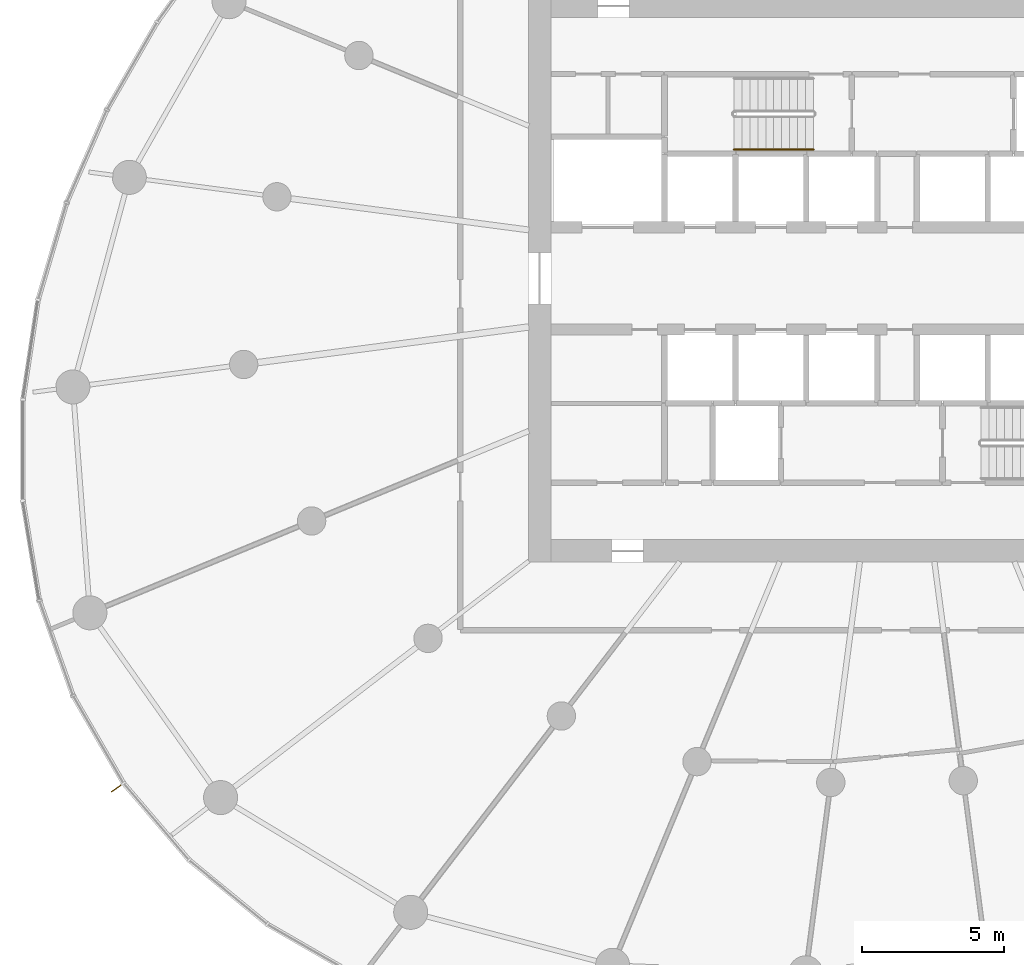
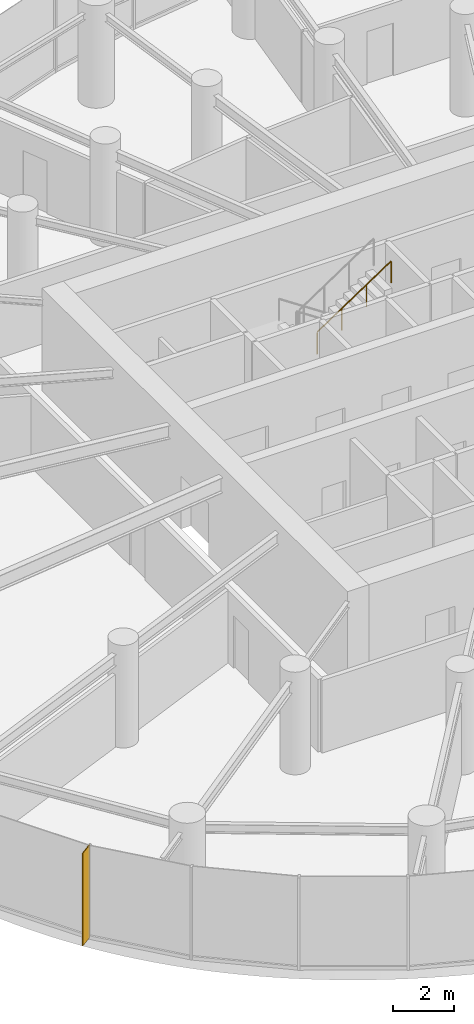
# One storey, part 15 of 17: 1 railing, 1 shading device.
"""IFC4 building model written with IfcOpenShell, lengths in metres."""

from ifc_helpers import new_model, si_unit, direction, frame, origin, origin_2d, place, context, subcontext, project, spatial, rectangle, circle, extrude, source, transform, mapped, material, material_profile, profile_set, type_object, element, save


model = new_model("IFC4")

# Units and contexts
model_context = context("Model", 3, precision=1e-05, world=origin(), true_north=direction((0.0, 1.0)))
body_context = subcontext(model_context, "Body", "Model", "MODEL_VIEW")
ifc_project = project(units=[si_unit("LENGTHUNIT", "METRE"), si_unit("AREAUNIT", "SQUARE_METRE"), si_unit("VOLUMEUNIT", "CUBIC_METRE"), si_unit("PLANEANGLEUNIT", "RADIAN"), si_unit("MASSUNIT", "GRAM", prefix="KILO")], contexts=[model_context])

# Site, building, storey
site_placement = place(None, origin())
site = spatial("IfcSite", under=ifc_project, at=site_placement, CompositionType="ELEMENT")
building_placement = place(site_placement, origin())
building = spatial("IfcBuilding", under=site, at=building_placement, Name="Spindrift Exchange Tower", CompositionType="ELEMENT")
storey_placement = place(building_placement, frame((0.0, 0.0, 120.800048828125)))
storey = spatial("IfcBuildingStorey", under=building, at=storey_placement, Name="L28", CompositionType="ELEMENT", Elevation=120.800048828125)

# Railing
ifc_material_1 = material(Name="Steel tubular handrail", Category="steel")
railing_type = type_object("IfcRailingType", Name="RL-STAIR-HAND", PredefinedType="HANDRAIL", material=ifc_material_1)
railing_placement = place(storey_placement, frame((46.25, 52.550048828125, 2.236328125)))
element("IfcRailing", 1, at=railing_placement, inside=storey, type_object=railing_type, Name="L28 ST1 stair handrail 2", PredefinedType="HANDRAIL", context=body_context, shape_type="SweptSolid", body=[
    extrude(circle(Radius=0.02392578125, at=origin_2d()), frame((0.0, 0.0, 0.8759765625), z_axis=(0.832485552168, 0.0, 0.554046753832), x_axis=(0.0, 1.0, 0.0)), (0.0, 0.0, 1.0), 3.363525390625),
    extrude(circle(Radius=0.02099609375, at=origin_2d()), origin(), (0.0, 0.0, 1.0), 0.851806640625),
    extrude(circle(Radius=0.02099609375, at=origin_2d()), frame((0.933349609375, 0.0, 0.62109375)), (0.0, 0.0, 1.0), 0.851806640625),
    extrude(circle(Radius=0.02099609375, at=origin_2d()), frame((1.86669921875, 0.0, 1.242431640625)), (0.0, 0.0, 1.0), 0.851806640625),
    extrude(circle(Radius=0.02099609375, at=origin_2d()), frame((2.800048828125, 0.0, 1.863525390625)), (0.0, 0.0, 1.0), 0.851806640625),
])

# Shading device
ifc_material_2 = material(Name="Bronze anodised aluminium", Category="aluminium")
ifc_material_profile = material_profile(ifc_material_2, rectangle(XDim=0.030029296875, YDim=0.550048828125, at=origin_2d()), Name="WIND FIN 30X550")
ifc_profile_set = profile_set([ifc_material_profile], Name="Bronze anodised aluminium")
shading_device_type = type_object("IfcShadingDeviceType", Name="WIND FIN 30X550", PredefinedType="USERDEFINED", material=ifc_profile_set)
shared_shape = source(origin(), body_context, "Body", "SweptSolid", [
    extrude(rectangle(XDim=0.030029296875, YDim=0.550048828125, at=origin_2d()), origin(), (0.0, 0.0, 1.0), 3.699951171875),
])
shading_device_placement = place(storey_placement, frame((24.528564453125, 30.06298828125, 0.0), z_axis=(0.0, 0.0, 1.0), x_axis=(0.577058242954, -0.816702996345, 0.0)))
element("IfcShadingDevice", 2, at=shading_device_placement, inside=storey, type_object=shading_device_type, Name="L28 wind fin 1", ObjectType="FIN", PredefinedType="USERDEFINED", context=body_context, shape_type="MappedRepresentation", body=[
    mapped(shared_shape, transform((0.0, 0.0, 0.0), scale=1.0)),
])

save(model, "model.ifc")
